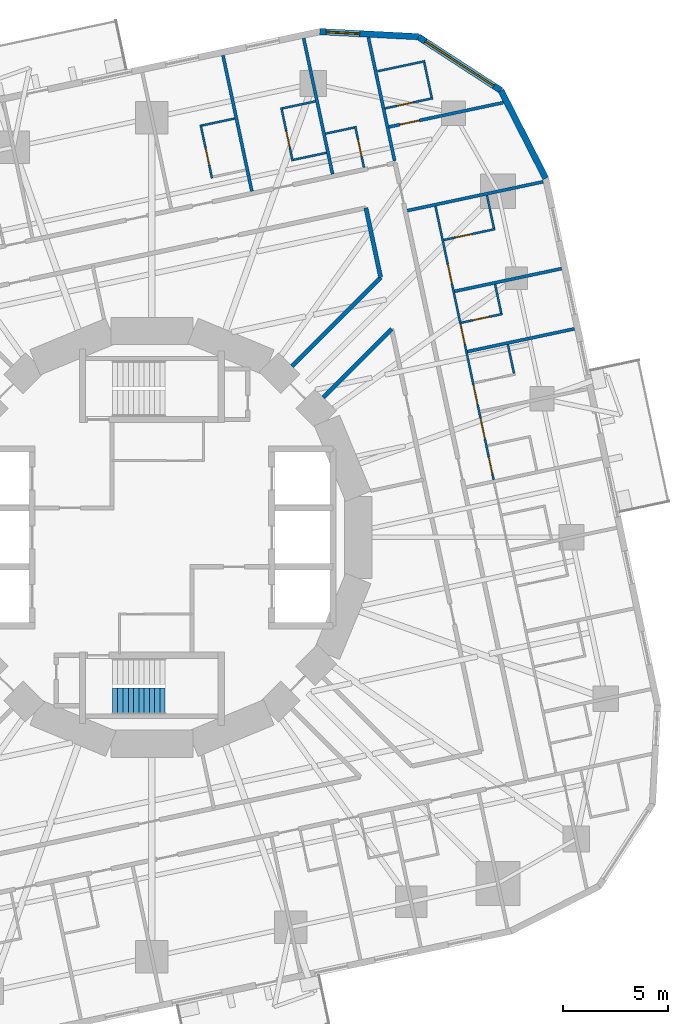
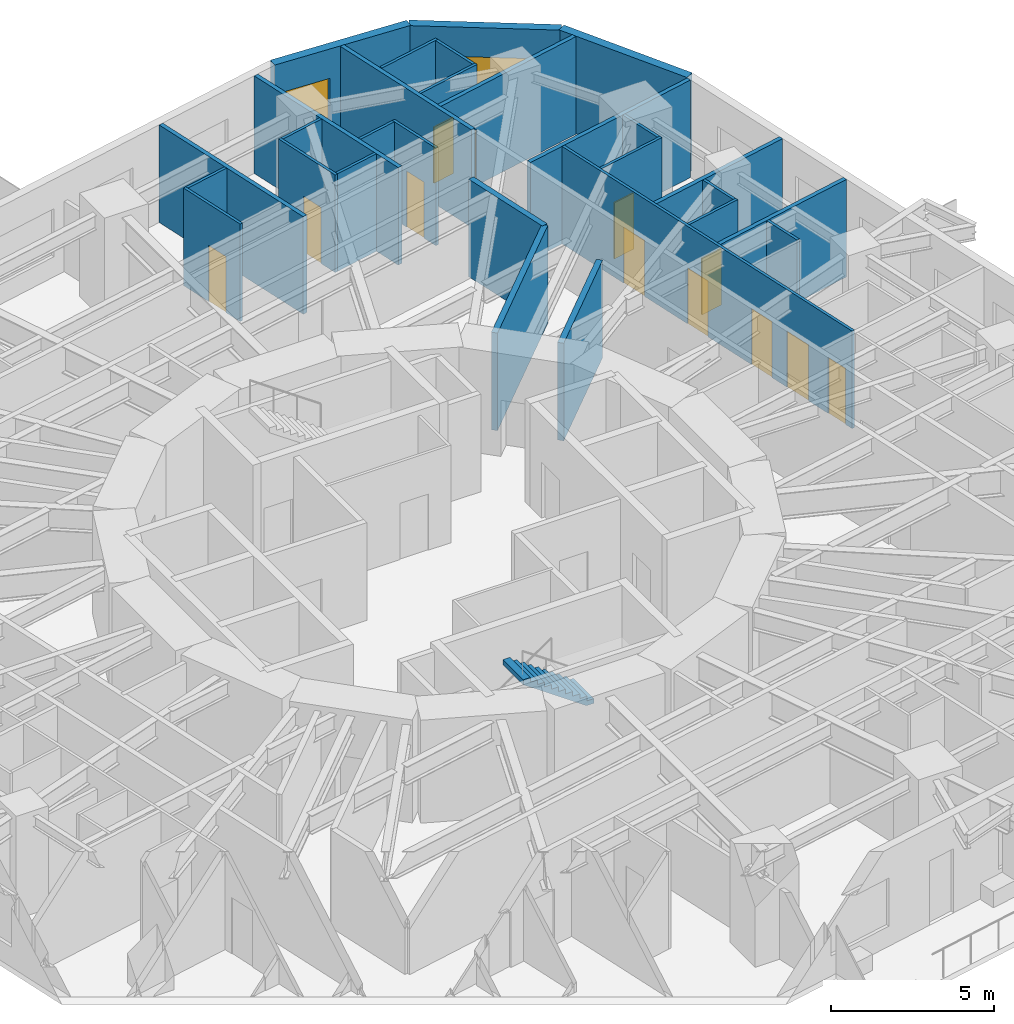
# One storey, part 11 of 14: 29 walls, 12 doors, 2 windows, 1 stair flight, 14 openings, 1 element without a shape of its own.
"""IFC4 building model written with IfcOpenShell, lengths in metres."""

from ifc_helpers import new_model, si_unit, direction, frame, frame_2d, origin, place, context, subcontext, project, spatial, polyline, rectangle, outline, extrude, material, layer, layer_set, type_object, element, fill, aggregate, save


model = new_model("IFC4")

# Units and contexts
model_context = context("Model", 3, precision=1e-05, world=origin(), true_north=direction((0.0, 1.0)))
body_context = subcontext(model_context, "Body", "Model", "MODEL_VIEW")
ifc_project = project(units=[si_unit("LENGTHUNIT", "METRE"), si_unit("AREAUNIT", "SQUARE_METRE"), si_unit("VOLUMEUNIT", "CUBIC_METRE"), si_unit("PLANEANGLEUNIT", "RADIAN"), si_unit("MASSUNIT", "GRAM", prefix="KILO")], contexts=[model_context])

# Site, building, storey
site_placement = place(None, origin())
site = spatial("IfcSite", under=ifc_project, at=site_placement, CompositionType="ELEMENT")
building_placement = place(site_placement, origin())
building = spatial("IfcBuilding", under=site, at=building_placement, Name="Nakasero Lantern House", CompositionType="ELEMENT")
storey_placement = place(building_placement, frame((0.0, 0.0, 128.10009765625)))
storey = spatial("IfcBuildingStorey", under=building, at=storey_placement, Name="L31", CompositionType="ELEMENT", Elevation=128.10009765625)

# Wall, openings, doors
ifc_material_1 = material(Name="Blockwork", Category="masonry")
ifc_layer_1 = layer(ifc_material_1, 0.10009765625)
ifc_layer_set_1 = layer_set([ifc_layer_1], Name="Cluster hall wall 100")
wall_type_1 = type_object("IfcWallType", Name="Cluster hall wall 100", PredefinedType="PARTITIONING", material=ifc_layer_set_1)
wall_1_placement = place(storey_placement, frame((16.236328125, 2.734375, 0.0), z_axis=(0.0, 0.0, 1.0), x_axis=(-0.207922912411, 0.978145215443, 0.0)))
wall_1 = element("IfcWall", 1, at=wall_1_placement, inside=storey, type_object=wall_type_1, Name="Cluster hall wall L31 HW0-1", PredefinedType="PARTITIONING", context=body_context, shape_type="SweptSolid", body=[
    extrude(rectangle(XDim=13.28955078125, YDim=0.10009765625, at=frame_2d((6.644775390625, 0.0))), origin(), (0.0, 0.0, 1.0), 3.64990234375),
])
opening_1_placement = place(wall_1_placement, frame((1.99365234375, 0.0, 0.0)))
opening_1 = element("IfcOpeningElement", 2, at=opening_1_placement, cuts=wall_1, Name="Opening D03", PredefinedType="OPENING", context=body_context, shape_type="SweptSolid", body=[
    extrude(rectangle(XDim=1.0, YDim=2.10009765625, at=frame_2d((0.5, 1.050048828125))), frame((0.0, 0.070068359375, 0.0), z_axis=(0.0, -1.0, 0.0), x_axis=(1.0, 0.0, 0.0)), (0.0, 0.0, 1.0), 0.14013671875),
])
opening_2_placement = place(wall_1_placement, frame((0.300048828125, 0.0, 0.0)))
opening_2 = element("IfcOpeningElement", 3, at=opening_2_placement, cuts=wall_1, Name="Opening D02", PredefinedType="OPENING", context=body_context, shape_type="SweptSolid", body=[
    extrude(rectangle(XDim=0.800048828125, YDim=2.10009765625, at=frame_2d((0.39990234375, 1.050048828125))), frame((0.0, 0.070068359375, 0.0), z_axis=(0.0, -1.0, 0.0), x_axis=(1.0, 0.0, 0.0)), (0.0, 0.0, 1.0), 0.14013671875),
])
opening_3_placement = place(wall_1_placement, frame((3.668701171875, 0.0, 0.0)))
opening_3 = element("IfcOpeningElement", 4, at=opening_3_placement, cuts=wall_1, Name="Opening D01", PredefinedType="OPENING", context=body_context, shape_type="SweptSolid", body=[
    extrude(rectangle(XDim=0.949951171875, YDim=2.10009765625, at=frame_2d((0.47509765625, 1.050048828125))), frame((0.0, 0.070068359375, 0.0), z_axis=(0.0, -1.0, 0.0), x_axis=(1.0, 0.0, 0.0)), (0.0, 0.0, 1.0), 0.14013671875),
])
opening_4_placement = place(wall_1_placement, frame((6.594970703125, 0.0, 0.0)))
opening_4 = element("IfcOpeningElement", 5, at=opening_4_placement, cuts=wall_1, Name="Opening D01", PredefinedType="OPENING", context=body_context, shape_type="SweptSolid", body=[
    extrude(rectangle(XDim=0.949951171875, YDim=2.10009765625, at=frame_2d((0.47509765625, 1.050048828125))), frame((0.0, 0.070068359375, 0.0), z_axis=(0.0, -1.0, 0.0), x_axis=(1.0, 0.0, 0.0)), (0.0, 0.0, 1.0), 0.14013671875),
])
opening_5_placement = place(wall_1_placement, frame((9.521484375, 0.0, 0.0)))
opening_5 = element("IfcOpeningElement", 6, at=opening_5_placement, cuts=wall_1, Name="Opening D01", PredefinedType="OPENING", context=body_context, shape_type="SweptSolid", body=[
    extrude(rectangle(XDim=0.949951171875, YDim=2.10009765625, at=frame_2d((0.47509765625, 1.050048828125))), frame((0.0, 0.070068359375, 0.0), z_axis=(0.0, -1.0, 0.0), x_axis=(1.0, 0.0, 0.0)), (0.0, 0.0, 1.0), 0.14013671875),
])
ifc_material_2 = material(Name="Timber C24", Category="wood")
door_type_1 = type_object("IfcDoorType", Name="Bedroom door FD30S 950", OperationType="SINGLE_SWING_LEFT", PredefinedType="DOOR", material=ifc_material_2)
door_1_placement = place(opening_3_placement, origin())
door_1 = element("IfcDoor", 7, at=door_1_placement, inside=storey, type_object=door_type_1, Name="Door L31 D0-05", OperationType="SINGLE_SWING_LEFT", OverallHeight=2.10009765625, OverallWidth=0.949951171875, PredefinedType="DOOR", context=body_context, shape_type="SweptSolid", body=[
    extrude(rectangle(XDim=0.949951171875, YDim=2.10009765625, at=frame_2d((0.47509765625, 1.050048828125))), frame((0.0, 0.02490234375, 0.0), z_axis=(0.0, -1.0, 0.0), x_axis=(1.0, 0.0, 0.0)), (0.0, 0.0, 1.0), 0.050048828125),
])
fill(opening_3, door_1)
door_2_placement = place(opening_4_placement, origin())
door_2 = element("IfcDoor", 8, at=door_2_placement, inside=storey, type_object=door_type_1, Name="Door L31 D0-06", OperationType="SINGLE_SWING_RIGHT", OverallHeight=2.10009765625, OverallWidth=0.949951171875, PredefinedType="DOOR", context=body_context, shape_type="SweptSolid", body=[
    extrude(rectangle(XDim=0.949951171875, YDim=2.10009765625, at=frame_2d((0.47509765625, 1.050048828125))), frame((0.0, 0.02490234375, 0.0), z_axis=(0.0, -1.0, 0.0), x_axis=(1.0, 0.0, 0.0)), (0.0, 0.0, 1.0), 0.050048828125),
])
fill(opening_4, door_2)
door_3_placement = place(opening_5_placement, origin())
door_3 = element("IfcDoor", 9, at=door_3_placement, inside=storey, type_object=door_type_1, Name="Door L31 D0-07", OperationType="SINGLE_SWING_RIGHT", OverallHeight=2.10009765625, OverallWidth=0.949951171875, PredefinedType="DOOR", context=body_context, shape_type="SweptSolid", body=[
    extrude(rectangle(XDim=0.949951171875, YDim=2.10009765625, at=frame_2d((0.47509765625, 1.050048828125))), frame((0.0, 0.02490234375, 0.0), z_axis=(0.0, -1.0, 0.0), x_axis=(1.0, 0.0, 0.0)), (0.0, 0.0, 1.0), 0.050048828125),
])
fill(opening_5, door_3)
ifc_material_3 = material(Name="Timber C24", Category="wood")
door_type_2 = type_object("IfcDoorType", Name="En-suite door 800", OperationType="SINGLE_SWING_RIGHT", PredefinedType="DOOR", material=ifc_material_3)
door_4_placement = place(opening_2_placement, origin())
door_4 = element("IfcDoor", 10, at=door_4_placement, inside=storey, type_object=door_type_2, Name="Door L31 DSH0-1", OperationType="SINGLE_SWING_LEFT", OverallHeight=2.10009765625, OverallWidth=0.800048828125, PredefinedType="DOOR", context=body_context, shape_type="SweptSolid", body=[
    extrude(rectangle(XDim=0.800048828125, YDim=2.10009765625, at=frame_2d((0.39990234375, 1.050048828125))), frame((0.0, 0.02490234375, 0.0), z_axis=(0.0, -1.0, 0.0), x_axis=(1.0, 0.0, 0.0)), (0.0, 0.0, 1.0), 0.050048828125),
])
fill(opening_2, door_4)
ifc_material_4 = material(Name="Timber C24", Category="wood")
door_type_3 = type_object("IfcDoorType", Name="Lounge door FD30S 1000", OperationType="SINGLE_SWING_LEFT", PredefinedType="DOOR", material=ifc_material_4)
door_5_placement = place(opening_1_placement, origin())
door_5 = element("IfcDoor", 11, at=door_5_placement, inside=storey, type_object=door_type_3, Name="Door L31 DH0-1", OperationType="SINGLE_SWING_LEFT", OverallHeight=2.10009765625, OverallWidth=1.0, PredefinedType="DOOR", context=body_context, shape_type="SweptSolid", body=[
    extrude(rectangle(XDim=1.0, YDim=2.10009765625, at=frame_2d((0.5, 1.050048828125))), frame((0.0, 0.02490234375, 0.0), z_axis=(0.0, -1.0, 0.0), x_axis=(1.0, 0.0, 0.0)), (0.0, 0.0, 1.0), 0.050048828125),
])
fill(opening_1, door_5)

# Walls
ifc_material_5 = material(Name="Blockwork", Category="masonry")
ifc_layer_2 = layer(ifc_material_5, 0.199951171875)
ifc_layer_set_2 = layer_set([ifc_layer_2], Name="Corridor wall 200")
wall_type_2 = type_object("IfcWallType", Name="Corridor wall 200", PredefinedType="PARTITIONING", material=ifc_layer_set_2)
wall_2_placement = place(storey_placement, frame((10.868896484375, 12.35400390625, 0.0), z_axis=(0.0, 0.0, 1.0), x_axis=(-0.207923627178, 0.978145063506, 0.0)))
element("IfcWall", 12, at=wall_2_placement, inside=storey, type_object=wall_type_2, Name="Corridor wall L31 IW0-1", PredefinedType="PARTITIONING", context=body_context, shape_type="SweptSolid", body=[
    extrude(rectangle(XDim=3.375732421875, YDim=0.199951171875, at=frame_2d((1.68798828125, 0.0))), origin(), (0.0, 0.0, 1.0), 3.64990234375),
])
wall_3_placement = place(storey_placement, frame((6.65234375, 8.13720703125, 0.0), z_axis=(0.0, 0.0, 1.0), x_axis=(0.707086310555, 0.707127251225, 0.0)))
element("IfcWall", 13, at=wall_3_placement, inside=storey, type_object=wall_type_2, Name="Corridor wall L31 PS02a", PredefinedType="PARTITIONING", context=body_context, shape_type="SweptSolid", body=[
    extrude(rectangle(XDim=5.96337890625, YDim=0.199951171875, at=frame_2d((2.981689453125, 0.0))), origin(), (0.0, 0.0, 1.0), 3.64990234375),
])
wall_4_placement = place(storey_placement, frame((8.13720703125, 6.65234375, 0.0), z_axis=(0.0, 0.0, 1.0), x_axis=(0.707106781187, 0.707106781187, 0.0)))
element("IfcWall", 14, at=wall_4_placement, inside=storey, type_object=wall_type_2, Name="Corridor wall L31 PS02b", PredefinedType="PARTITIONING", context=body_context, shape_type="SweptSolid", body=[
    extrude(rectangle(XDim=4.599609375, YDim=0.199951171875, at=frame_2d((2.2998046875, 0.0))), origin(), (0.0, 0.0, 1.0), 3.64990234375),
])
ifc_material_6 = material(Name="Blockwork", Category="masonry")
ifc_layer_3 = layer(ifc_material_6, 0.10009765625)
ifc_layer_set_3 = layer_set([ifc_layer_3], Name="En-suite wall 100")
wall_type_3 = type_object("IfcWallType", Name="En-suite wall 100", PredefinedType="PARTITIONING", material=ifc_layer_set_3)
wall_5_placement = place(storey_placement, frame((17.2060546875, 7.79150390625, 0.0), z_axis=(0.0, 0.0, 1.0), x_axis=(-0.207873355681, 0.978155748334, 0.0)))
element("IfcWall", 15, at=wall_5_placement, inside=storey, type_object=wall_type_3, Name="En-suite wall L31 EE0-05", PredefinedType="PARTITIONING", context=body_context, shape_type="SweptSolid", body=[
    extrude(rectangle(XDim=1.39990234375, YDim=0.10009765625, at=frame_2d((0.699951171875, 0.0))), origin(), (0.0, 0.0, 1.0), 3.64990234375),
])

# Wall, opening, door
wall_6_placement = place(storey_placement, frame((14.70068359375, 10.19970703125, 0.0), z_axis=(0.0, 0.0, 1.0), x_axis=(0.978152955943, 0.207886494942, 0.0)))
wall_6 = element("IfcWall", 16, at=wall_6_placement, inside=storey, type_object=wall_type_3, Name="En-suite wall L31 ES0-06", PredefinedType="PARTITIONING", context=body_context, shape_type="SweptSolid", body=[
    extrude(rectangle(XDim=2.0, YDim=0.10009765625, at=frame_2d((1.0, 0.0))), origin(), (0.0, 0.0, 1.0), 3.64990234375),
])
opening_6_placement = place(wall_6_placement, frame((0.550048828125, 0.0, 0.0)))
opening_6 = element("IfcOpeningElement", 17, at=opening_6_placement, cuts=wall_6, Name="Opening D02", PredefinedType="OPENING", context=body_context, shape_type="SweptSolid", body=[
    extrude(rectangle(XDim=0.800048828125, YDim=2.10009765625, at=frame_2d((0.39990234375, 1.050048828125))), frame((0.0, 0.070068359375, 0.0), z_axis=(0.0, -1.0, 0.0), x_axis=(1.0, 0.0, 0.0)), (0.0, 0.0, 1.0), 0.14013671875),
])
door_6_placement = place(opening_6_placement, origin())
door_6 = element("IfcDoor", 18, at=door_6_placement, inside=storey, type_object=door_type_2, Name="Door L31 DE0-06", OperationType="SINGLE_SWING_LEFT", OverallHeight=2.10009765625, OverallWidth=0.800048828125, PredefinedType="DOOR", context=body_context, shape_type="SweptSolid", body=[
    extrude(rectangle(XDim=0.800048828125, YDim=2.10009765625, at=frame_2d((0.39990234375, 1.050048828125))), frame((0.0, 0.02490234375, 0.0), z_axis=(0.0, -1.0, 0.0), x_axis=(1.0, 0.0, 0.0)), (0.0, 0.0, 1.0), 0.050048828125),
])
fill(opening_6, door_6)

# Wall
wall_7_placement = place(storey_placement, frame((16.59765625, 10.654052734375, 0.0), z_axis=(0.0, 0.0, 1.0), x_axis=(-0.207873355681, 0.978155748334, 0.0)))
element("IfcWall", 19, at=wall_7_placement, inside=storey, type_object=wall_type_3, Name="En-suite wall L31 EE0-06", PredefinedType="PARTITIONING", context=body_context, shape_type="SweptSolid", body=[
    extrude(rectangle(XDim=1.39990234375, YDim=0.10009765625, at=frame_2d((0.699951171875, 0.0))), origin(), (0.0, 0.0, 1.0), 3.64990234375),
])

# Wall, opening, door
wall_8_placement = place(storey_placement, frame((13.865234375, 14.1298828125, 0.0), z_axis=(0.0, 0.0, 1.0), x_axis=(0.978146935828, 0.207914818928, 0.0)))
wall_8 = element("IfcWall", 20, at=wall_8_placement, inside=storey, type_object=wall_type_3, Name="En-suite wall L31 ES0-07", PredefinedType="PARTITIONING", context=body_context, shape_type="SweptSolid", body=[
    extrude(rectangle(XDim=2.5, YDim=0.10009765625, at=frame_2d((1.25, 0.0))), origin(), (0.0, 0.0, 1.0), 3.64990234375),
])
opening_7_placement = place(wall_8_placement, frame((0.550048828125, 0.0, 0.0)))
opening_7 = element("IfcOpeningElement", 21, at=opening_7_placement, cuts=wall_8, Name="Opening D02", PredefinedType="OPENING", context=body_context, shape_type="SweptSolid", body=[
    extrude(rectangle(XDim=0.800048828125, YDim=2.10009765625, at=frame_2d((0.39990234375, 1.050048828125))), frame((0.0, 0.070068359375, 0.0), z_axis=(0.0, -1.0, 0.0), x_axis=(1.0, 0.0, 0.0)), (0.0, 0.0, 1.0), 0.14013671875),
])
door_7_placement = place(opening_7_placement, origin())
door_7 = element("IfcDoor", 22, at=door_7_placement, inside=storey, type_object=door_type_2, Name="Door L31 DE0-07", OperationType="SINGLE_SWING_LEFT", OverallHeight=2.10009765625, OverallWidth=0.800048828125, PredefinedType="DOOR", context=body_context, shape_type="SweptSolid", body=[
    extrude(rectangle(XDim=0.800048828125, YDim=2.10009765625, at=frame_2d((0.39990234375, 1.050048828125))), frame((0.0, 0.02490234375, 0.0), z_axis=(0.0, -1.0, 0.0), x_axis=(1.0, 0.0, 0.0)), (0.0, 0.0, 1.0), 0.050048828125),
])
fill(opening_7, door_7)

# Wall
wall_9_placement = place(storey_placement, frame((16.251220703125, 14.688232421875, 0.0), z_axis=(0.0, 0.0, 1.0), x_axis=(-0.207840504985, 0.978162729042, 0.0)))
element("IfcWall", 23, at=wall_9_placement, inside=storey, type_object=wall_type_3, Name="En-suite wall L31 EE0-07", PredefinedType="PARTITIONING", context=body_context, shape_type="SweptSolid", body=[
    extrude(rectangle(XDim=1.599853515625, YDim=0.10009765625, at=frame_2d((0.7998046875, 0.0))), origin(), (0.0, 0.0, 1.0), 3.64990234375),
])

# Wall, opening, door
wall_10_placement = place(storey_placement, frame((11.069091796875, 20.382568359375, 0.0), z_axis=(0.0, 0.0, 1.0), x_axis=(0.978136257952, 0.207965047255, 0.0)))
wall_10 = element("IfcWall", 24, at=wall_10_placement, inside=storey, type_object=wall_type_3, Name="En-suite wall L31 ES0-08", PredefinedType="PARTITIONING", context=body_context, shape_type="SweptSolid", body=[
    extrude(rectangle(XDim=2.3349609375, YDim=0.10009765625, at=frame_2d((1.16748046875, 0.0))), origin(), (0.0, 0.0, 1.0), 3.64990234375),
])
opening_8_placement = place(wall_10_placement, frame((0.5849609375, 0.0, 0.0)))
opening_8 = element("IfcOpeningElement", 25, at=opening_8_placement, cuts=wall_10, Name="Opening D02", PredefinedType="OPENING", context=body_context, shape_type="SweptSolid", body=[
    extrude(rectangle(XDim=0.800048828125, YDim=2.10009765625, at=frame_2d((0.39990234375, 1.050048828125))), frame((0.0, 0.070068359375, 0.0), z_axis=(0.0, -1.0, 0.0), x_axis=(1.0, 0.0, 0.0)), (0.0, 0.0, 1.0), 0.14013671875),
])
door_8_placement = place(opening_8_placement, origin())
door_8 = element("IfcDoor", 26, at=door_8_placement, inside=storey, type_object=door_type_2, Name="Door L31 DE0-08", OperationType="SINGLE_SWING_LEFT", OverallHeight=2.10009765625, OverallWidth=0.800048828125, PredefinedType="DOOR", context=body_context, shape_type="SweptSolid", body=[
    extrude(rectangle(XDim=0.800048828125, YDim=2.10009765625, at=frame_2d((0.39990234375, 1.050048828125))), frame((0.0, 0.02490234375, 0.0), z_axis=(0.0, -1.0, 0.0), x_axis=(1.0, 0.0, 0.0)), (0.0, 0.0, 1.0), 0.050048828125),
])
fill(opening_8, door_8)

# Walls
wall_11_placement = place(storey_placement, frame((13.293701171875, 20.906494140625, 0.0), z_axis=(0.0, 0.0, 1.0), x_axis=(-0.207812379357, 0.978168704767, 0.0)))
element("IfcWall", 27, at=wall_11_placement, inside=storey, type_object=wall_type_3, Name="En-suite wall L31 EE0-08", PredefinedType="PARTITIONING", context=body_context, shape_type="SweptSolid", body=[
    extrude(rectangle(XDim=1.699951171875, YDim=0.10009765625, at=frame_2d((0.85009765625, 0.0))), origin(), (0.0, 0.0, 1.0), 3.64990234375),
])
wall_12_placement = place(storey_placement, frame((10.72900390625, 22.150634765625, 0.0), z_axis=(0.0, 0.0, 1.0), x_axis=(0.978162897375, 0.207839712757, 0.0)))
element("IfcWall", 28, at=wall_12_placement, inside=storey, type_object=wall_type_3, Name="En-suite wall L31 EV0-08", PredefinedType="PARTITIONING", context=body_context, shape_type="SweptSolid", body=[
    extrude(rectangle(XDim=2.300048828125, YDim=0.10009765625, at=frame_2d((1.14990234375, 0.0))), origin(), (0.0, 0.0, 1.0), 3.64990234375),
])

# Wall, opening, door
wall_13_placement = place(storey_placement, frame((10.07421875, 17.57861328125, 0.0), z_axis=(0.0, 0.0, 1.0), x_axis=(-0.207886494942, 0.978152955943, 0.0)))
wall_13 = element("IfcWall", 29, at=wall_13_placement, inside=storey, type_object=wall_type_3, Name="En-suite wall L31 ES1-00", PredefinedType="PARTITIONING", context=body_context, shape_type="SweptSolid", body=[
    extrude(rectangle(XDim=2.0, YDim=0.10009765625, at=frame_2d((1.0, 0.0))), origin(), (0.0, 0.0, 1.0), 3.64990234375),
])
opening_9_placement = place(wall_13_placement, frame((0.550048828125, 0.0, 0.0)))
opening_9 = element("IfcOpeningElement", 30, at=opening_9_placement, cuts=wall_13, Name="Opening D02", PredefinedType="OPENING", context=body_context, shape_type="SweptSolid", body=[
    extrude(rectangle(XDim=0.800048828125, YDim=2.10009765625, at=frame_2d((0.39990234375, 1.050048828125))), frame((0.0, 0.070068359375, 0.0), z_axis=(0.0, -1.0, 0.0), x_axis=(1.0, 0.0, 0.0)), (0.0, 0.0, 1.0), 0.14013671875),
])
door_9_placement = place(opening_9_placement, origin())
door_9 = element("IfcDoor", 31, at=door_9_placement, inside=storey, type_object=door_type_2, Name="Door L31 DE1-00", OperationType="SINGLE_SWING_LEFT", OverallHeight=2.10009765625, OverallWidth=0.800048828125, PredefinedType="DOOR", context=body_context, shape_type="SweptSolid", body=[
    extrude(rectangle(XDim=0.800048828125, YDim=2.10009765625, at=frame_2d((0.39990234375, 1.050048828125))), frame((0.0, 0.02490234375, 0.0), z_axis=(0.0, -1.0, 0.0), x_axis=(1.0, 0.0, 0.0)), (0.0, 0.0, 1.0), 0.050048828125),
])
fill(opening_9, door_9)

# Wall
wall_14_placement = place(storey_placement, frame((9.619873046875, 19.4755859375, 0.0), z_axis=(0.0, 0.0, 1.0), x_axis=(-0.978155748334, -0.207873355681, 0.0)))
element("IfcWall", 32, at=wall_14_placement, inside=storey, type_object=wall_type_3, Name="En-suite wall L31 EE1-00", PredefinedType="PARTITIONING", context=body_context, shape_type="SweptSolid", body=[
    extrude(rectangle(XDim=1.39990234375, YDim=0.10009765625, at=frame_2d((0.699951171875, 0.0))), origin(), (0.0, 0.0, 1.0), 3.64990234375),
])

# Wall, opening, door
wall_15_placement = place(storey_placement, frame((6.687255859375, 17.881103515625, 0.0), z_axis=(0.0, 0.0, 1.0), x_axis=(-0.207893569688, 0.978151452323, 0.0)))
wall_15 = element("IfcWall", 33, at=wall_15_placement, inside=storey, type_object=wall_type_3, Name="En-suite wall L31 ES1-01", PredefinedType="PARTITIONING", context=body_context, shape_type="SweptSolid", body=[
    extrude(rectangle(XDim=2.60009765625, YDim=0.10009765625, at=frame_2d((1.300048828125, 0.0))), origin(), (0.0, 0.0, 1.0), 3.64990234375),
])
opening_10_placement = place(wall_15_placement, frame((0.64990234375, 0.0, 0.0)))
opening_10 = element("IfcOpeningElement", 34, at=opening_10_placement, cuts=wall_15, Name="Opening D02", PredefinedType="OPENING", context=body_context, shape_type="SweptSolid", body=[
    extrude(rectangle(XDim=0.800048828125, YDim=2.10009765625, at=frame_2d((0.39990234375, 1.050048828125))), frame((0.0, 0.070068359375, 0.0), z_axis=(0.0, -1.0, 0.0), x_axis=(1.0, 0.0, 0.0)), (0.0, 0.0, 1.0), 0.14013671875),
])
door_10_placement = place(opening_10_placement, origin())
door_10 = element("IfcDoor", 35, at=door_10_placement, inside=storey, type_object=door_type_2, Name="Door L31 DE1-01", OperationType="SINGLE_SWING_LEFT", OverallHeight=2.10009765625, OverallWidth=0.800048828125, PredefinedType="DOOR", context=body_context, shape_type="SweptSolid", body=[
    extrude(rectangle(XDim=0.800048828125, YDim=2.10009765625, at=frame_2d((0.39990234375, 1.050048828125))), frame((0.0, 0.02490234375, 0.0), z_axis=(0.0, -1.0, 0.0), x_axis=(1.0, 0.0, 0.0)), (0.0, 0.0, 1.0), 0.050048828125),
])
fill(opening_10, door_10)

# Walls
for number, where, z_axis, x_axis, name in (
    (36, (7.77099609375, 20.718505859375, 0.0), (0.0, 0.0, 1.0), (-0.978131695374, -0.207986505584, 0.0), "En-suite wall L31 EE1-01"),
    (37, (8.290771484375, 18.273193359375, 0.0), (0.0, 0.0, 1.0), (-0.978131695374, -0.207986505584, 0.0), "En-suite wall L31 EI1-01"),
):
    element("IfcWall", number, at=place(storey_placement, frame(where, z_axis=z_axis, x_axis=x_axis)), inside=storey, type_object=wall_type_3, Name=name, PredefinedType="PARTITIONING", context=body_context, shape_type="SweptSolid", body=[
        extrude(rectangle(XDim=1.599853515625, YDim=0.10009765625, at=frame_2d((0.7998046875, 0.0))), origin(), (0.0, 0.0, 1.0), 3.64990234375),
    ])

# Wall, opening, door
wall_16_placement = place(storey_placement, frame((2.853515625, 17.066162109375, 0.0), z_axis=(0.0, 0.0, 1.0), x_axis=(-0.207893569688, 0.978151452323, 0.0)))
wall_16 = element("IfcWall", 38, at=wall_16_placement, inside=storey, type_object=wall_type_3, Name="En-suite wall L31 ES1-02", PredefinedType="PARTITIONING", context=body_context, shape_type="SweptSolid", body=[
    extrude(rectangle(XDim=2.60009765625, YDim=0.10009765625, at=frame_2d((1.300048828125, 0.0))), origin(), (0.0, 0.0, 1.0), 3.64990234375),
])
opening_11_placement = place(wall_16_placement, frame((0.64990234375, 0.0, 0.0)))
opening_11 = element("IfcOpeningElement", 39, at=opening_11_placement, cuts=wall_16, Name="Opening D02", PredefinedType="OPENING", context=body_context, shape_type="SweptSolid", body=[
    extrude(rectangle(XDim=0.800048828125, YDim=2.10009765625, at=frame_2d((0.39990234375, 1.050048828125))), frame((0.0, 0.070068359375, 0.0), z_axis=(0.0, -1.0, 0.0), x_axis=(1.0, 0.0, 0.0)), (0.0, 0.0, 1.0), 0.14013671875),
])
door_11_placement = place(opening_11_placement, origin())
door_11 = element("IfcDoor", 40, at=door_11_placement, inside=storey, type_object=door_type_2, Name="Door L31 DE1-02", OperationType="SINGLE_SWING_LEFT", OverallHeight=2.10009765625, OverallWidth=0.800048828125, PredefinedType="DOOR", context=body_context, shape_type="SweptSolid", body=[
    extrude(rectangle(XDim=0.800048828125, YDim=2.10009765625, at=frame_2d((0.39990234375, 1.050048828125))), frame((0.0, 0.02490234375, 0.0), z_axis=(0.0, -1.0, 0.0), x_axis=(1.0, 0.0, 0.0)), (0.0, 0.0, 1.0), 0.050048828125),
])
fill(opening_11, door_11)

# Walls
wall_17_placement = place(storey_placement, frame((3.937255859375, 19.903564453125, 0.0), z_axis=(0.0, 0.0, 1.0), x_axis=(-0.978138294895, -0.207955466533, 0.0)))
element("IfcWall", 41, at=wall_17_placement, inside=storey, type_object=wall_type_3, Name="En-suite wall L31 EE1-02", PredefinedType="PARTITIONING", context=body_context, shape_type="SweptSolid", body=[
    extrude(rectangle(XDim=1.60009765625, YDim=0.10009765625, at=frame_2d((0.800048828125, 0.0))), origin(), (0.0, 0.0, 1.0), 3.64990234375),
])
ifc_material_7 = material(Name="Aluminium rainscreen on blockwork", Category="masonry")
ifc_layer_4 = layer(ifc_material_7, 0.300048828125)
ifc_layer_set_4 = layer_set([ifc_layer_4], Name="Facade wall 300")
wall_type_4 = type_object("IfcWallType", Name="Facade wall 300", PredefinedType="SOLIDWALL", material=ifc_layer_set_4)
wall_18_placement = place(storey_placement, frame((18.711181640625, 17.063232421875, 0.0), z_axis=(0.0, 0.0, 1.0), x_axis=(-0.453975745332, 0.89101404178, 0.0)))
element("IfcWall", 42, at=wall_18_placement, inside=storey, type_object=wall_type_4, Name="Facade wall L31 FW0C1", PredefinedType="SOLIDWALL", context=body_context, shape_type="SweptSolid", body=[
    extrude(rectangle(XDim=4.6845703125, YDim=0.300048828125, at=frame_2d((2.34228515625, 0.0))), origin(), (0.0, 0.0, 1.0), 3.64990234375),
])

# Wall, opening, window
wall_19_placement = place(storey_placement, frame((16.58447265625, 21.2373046875, 0.0), z_axis=(0.0, 0.0, 1.0), x_axis=(-0.838692381994, 0.544605442853, 0.0)))
wall_19 = element("IfcWall", 43, at=wall_19_placement, inside=storey, type_object=wall_type_4, Name="Facade wall L31 FW0C2", PredefinedType="SOLIDWALL", context=body_context, shape_type="SweptSolid", body=[
    extrude(rectangle(XDim=4.6845703125, YDim=0.300048828125, at=frame_2d((2.34228515625, 0.0))), origin(), (0.0, 0.0, 1.0), 3.64990234375),
])
opening_12_placement = place(wall_19_placement, frame((0.39990234375, 0.0, 0.75)))
opening_12 = element("IfcOpeningElement", 44, at=opening_12_placement, cuts=wall_19, Name="Opening W238", PredefinedType="OPENING", context=body_context, shape_type="SweptSolid", body=[
    extrude(rectangle(XDim=3.885009765625, YDim=1.800048828125, at=frame_2d((1.9423828125, 0.89990234375))), frame((0.0, 0.169921875, 0.0), z_axis=(0.0, -1.0, 0.0), x_axis=(1.0, 0.0, 0.0)), (0.0, 0.0, 1.0), 0.340087890625),
])
ifc_material_8 = material(Name="Aluminium 6063-T6 and glass", Category="aluminium")
window_type_1 = type_object("IfcWindowType", Name="Corner window 3885x1800", PartitioningType="SINGLE_PANEL", PredefinedType="WINDOW", material=ifc_material_8)
window_1_placement = place(opening_12_placement, origin())
window_1 = element("IfcWindow", 45, at=window_1_placement, inside=storey, type_object=window_type_1, Name="Window L31 WC0", OverallHeight=1.800048828125, OverallWidth=3.885009765625, PartitioningType="SINGLE_PANEL", PredefinedType="WINDOW", context=body_context, shape_type="SweptSolid", body=[
    extrude(rectangle(XDim=3.885009765625, YDim=1.800048828125, at=frame_2d((1.9423828125, 0.89990234375))), frame((0.0, 0.030029296875, 0.0), z_axis=(0.0, -1.0, 0.0), x_axis=(1.0, 0.0, 0.0)), (0.0, 0.0, 1.0), 0.06005859375),
])
fill(opening_12, window_1)

wall_20_placement = place(storey_placement, frame((12.655517578125, 23.78857421875, 0.0), z_axis=(0.0, 0.0, 1.0), x_axis=(-0.998630039879, 0.052326317, 0.0)))
wall_20 = element("IfcWall", 46, at=wall_20_placement, inside=storey, type_object=wall_type_4, Name="Facade wall L31 FW0C3", PredefinedType="SOLIDWALL", context=body_context, shape_type="SweptSolid", body=[
    extrude(rectangle(XDim=4.684326171875, YDim=0.300048828125, at=frame_2d((2.34228515625, 0.0))), origin(), (0.0, 0.0, 1.0), 3.64990234375),
])
opening_13_placement = place(wall_20_placement, frame((2.784912109375, 0.0, 0.75)))
opening_13 = element("IfcOpeningElement", 47, at=opening_13_placement, cuts=wall_20, Name="Opening W01", PredefinedType="OPENING", context=body_context, shape_type="SweptSolid", body=[
    extrude(rectangle(XDim=1.60009765625, YDim=1.800048828125, at=frame_2d((0.800048828125, 0.89990234375))), frame((0.0, 0.169921875, 0.0), z_axis=(0.0, -1.0, 0.0), x_axis=(1.0, 0.0, 0.0)), (0.0, 0.0, 1.0), 0.340087890625),
])
ifc_material_9 = material(Name="Aluminium 6063-T6 and glass", Category="aluminium")
window_type_2 = type_object("IfcWindowType", Name="Bedroom window 1600x1800", PartitioningType="SINGLE_PANEL", PredefinedType="WINDOW", material=ifc_material_9)
window_2_placement = place(opening_13_placement, origin())
window_2 = element("IfcWindow", 48, at=window_2_placement, inside=storey, type_object=window_type_2, Name="Window L31 WN1-00", OverallHeight=1.800048828125, OverallWidth=1.60009765625, PartitioningType="SINGLE_PANEL", PredefinedType="WINDOW", context=body_context, shape_type="SweptSolid", body=[
    extrude(rectangle(XDim=1.60009765625, YDim=1.800048828125, at=frame_2d((0.800048828125, 0.89990234375))), frame((0.0, 0.030029296875, 0.0), z_axis=(0.0, -1.0, 0.0), x_axis=(1.0, 0.0, 0.0)), (0.0, 0.0, 1.0), 0.06005859375),
])
fill(opening_13, window_2)

# Walls
ifc_material_10 = material(Name="Blockwork", Category="masonry")
ifc_layer_5 = layer(ifc_material_10, 0.14990234375)
ifc_layer_set_5 = layer_set([ifc_layer_5], Name="Party wall 150")
wall_type_5 = type_object("IfcWallType", Name="Party wall 150", PredefinedType="PARTITIONING", material=ifc_layer_set_5)
for number, where, z_axis, x_axis, name in (
    (49, (14.991943359375, 8.828857421875, 0.0), (0.0, 0.0, 1.0), (0.978151452323, 0.207893569688, 0.0), "Party wall L31 PW0-06"),
    (50, (14.383544921875, 11.69140625, 0.0), (0.0, 0.0, 1.0), (0.978151452323, 0.207893569688, 0.0), "Party wall L31 PW0-07"),
):
    element("IfcWall", number, at=place(storey_placement, frame(where, z_axis=z_axis, x_axis=x_axis)), inside=storey, type_object=wall_type_5, Name=name, PredefinedType="PARTITIONING", context=body_context, shape_type="SweptSolid", body=[
        extrude(rectangle(XDim=5.199951171875, YDim=0.14990234375, at=frame_2d((2.60009765625, 0.0))), origin(), (0.0, 0.0, 1.0), 3.64990234375),
    ])
wall_21_placement = place(storey_placement, frame((12.13720703125, 15.526123046875, 0.0), z_axis=(0.0, 0.0, 1.0), x_axis=(0.978144841009, 0.207924673876, 0.0)))
element("IfcWall", 51, at=wall_21_placement, inside=storey, type_object=wall_type_5, Name="Party wall L31 PW0-08", PredefinedType="PARTITIONING", context=body_context, shape_type="SweptSolid", body=[
    extrude(rectangle(XDim=6.60009765625, YDim=0.14990234375, at=frame_2d((3.300048828125, 0.0))), origin(), (0.0, 0.0, 1.0), 3.64990234375),
])

# Wall, opening, door
wall_22_placement = place(storey_placement, frame((11.256103515625, 19.502197265625, 0.0), z_axis=(0.0, 0.0, 1.0), x_axis=(0.978142361087, 0.207936339891, 0.0)))
wall_22 = element("IfcWall", 52, at=wall_22_placement, inside=storey, type_object=wall_type_5, Name="Party wall L31 PC0", PredefinedType="PARTITIONING", context=body_context, shape_type="SweptSolid", body=[
    extrude(rectangle(XDim=5.570068359375, YDim=0.14990234375, at=frame_2d((2.78515625, 0.0))), origin(), (0.0, 0.0, 1.0), 3.64990234375),
])
opening_14_placement = place(wall_22_placement, frame((0.534912109375, 0.0, 0.0)))
opening_14 = element("IfcOpeningElement", 53, at=opening_14_placement, cuts=wall_22, Name="Opening D01", PredefinedType="OPENING", context=body_context, shape_type="SweptSolid", body=[
    extrude(rectangle(XDim=0.949951171875, YDim=2.10009765625, at=frame_2d((0.47509765625, 1.050048828125))), frame((0.0, 0.094970703125, 0.0), z_axis=(0.0, -1.0, 0.0), x_axis=(1.0, 0.0, 0.0)), (0.0, 0.0, 1.0), 0.18994140625),
])
door_12_placement = place(opening_14_placement, origin())
door_12 = element("IfcDoor", 54, at=door_12_placement, inside=storey, type_object=door_type_1, Name="Door L31 DC0", OperationType="SINGLE_SWING_LEFT", OverallHeight=2.10009765625, OverallWidth=0.949951171875, PredefinedType="DOOR", context=body_context, shape_type="SweptSolid", body=[
    extrude(rectangle(XDim=0.949951171875, YDim=2.10009765625, at=frame_2d((0.47509765625, 1.050048828125))), frame((0.0, 0.02490234375, 0.0), z_axis=(0.0, -1.0, 0.0), x_axis=(1.0, 0.0, 0.0)), (0.0, 0.0, 1.0), 0.050048828125),
])
fill(opening_14, door_12)

# Walls
wall_23_placement = place(storey_placement, frame((11.53271484375, 17.888671875, 0.0), z_axis=(0.0, 0.0, 1.0), x_axis=(-0.207886494942, 0.978152955943, 0.0)))
element("IfcWall", 55, at=wall_23_placement, inside=storey, type_object=wall_type_5, Name="Party wall L31 PW1-00", PredefinedType="PARTITIONING", context=body_context, shape_type="SweptSolid", body=[
    extrude(rectangle(XDim=6.0, YDim=0.14990234375, at=frame_2d((3.0, 0.0))), origin(), (0.0, 0.0, 1.0), 3.64990234375),
])
wall_24_placement = place(storey_placement, frame((8.58251953125, 17.26171875, 0.0), z_axis=(0.0, 0.0, 1.0), x_axis=(-0.207932197326, 0.978143241716, 0.0)))
element("IfcWall", 56, at=wall_24_placement, inside=storey, type_object=wall_type_5, Name="Party wall L31 PW1-01", PredefinedType="PARTITIONING", context=body_context, shape_type="SweptSolid", body=[
    extrude(rectangle(XDim=6.599853515625, YDim=0.14990234375, at=frame_2d((3.2998046875, 0.0))), origin(), (0.0, 0.0, 1.0), 3.64990234375),
])
wall_25_placement = place(storey_placement, frame((4.748779296875, 16.44677734375, 0.0), z_axis=(0.0, 0.0, 1.0), x_axis=(-0.207924673876, 0.978144841009, 0.0)))
element("IfcWall", 57, at=wall_25_placement, inside=storey, type_object=wall_type_5, Name="Party wall L31 PW1-02", PredefinedType="PARTITIONING", context=body_context, shape_type="SweptSolid", body=[
    extrude(rectangle(XDim=6.60009765625, YDim=0.14990234375, at=frame_2d((3.300048828125, 0.0))), origin(), (0.0, 0.0, 1.0), 3.64990234375),
])

# Stair, stair flight
ifc_material_11 = material(Name="Concrete C40/50", Category="concrete")
stair_type = type_object("IfcStairType", Name="Escape stair ST2 22 risers", PredefinedType="HALF_TURN_STAIR", material=ifc_material_11)
stair_placement = place(storey_placement, origin())
stair = element("IfcStair", 58, at=stair_placement, inside=storey, type_object=stair_type, Name="Escape stair ST2 L31", PredefinedType="HALF_TURN_STAIR")
ifc_material_12 = material(Name="Concrete C40/50", Category="concrete")
stair_flight_type = type_object("IfcStairFlightType", Name="Escape stair flight", PredefinedType="STRAIGHT", material=ifc_material_12)
stair_flight_placement = place(storey_placement, frame((0.625, -7.77490234375, 1.9248046875), z_axis=(0.0, 0.0, 1.0), x_axis=(-1.0, 0.0, 0.0)))
stair_flight = element("IfcStairFlight", 59, at=stair_flight_placement, type_object=stair_flight_type, Name="ST2 flight 2", NumberOfRisers=11, NumberOfTreads=10, PredefinedType="STRAIGHT", RiserHeight=0.175, TreadLength=0.25, context=body_context, shape_type="SweptSolid", body=[
    extrude(outline(polyline([(0.0, 0.0), (0.0, 0.175048828125), (0.25, 0.175048828125), (0.25, 0.35009765625), (0.5, 0.35009765625), (0.5, 0.52490234375), (0.75, 0.52490234375), (0.75, 0.699951171875), (1.0, 0.699951171875), (1.0, 0.875), (1.25, 0.875), (1.25, 1.050048828125), (1.5, 1.050048828125), (1.5, 1.22509765625), (1.75, 1.22509765625), (1.75, 1.39990234375), (2.0, 1.39990234375), (2.0, 1.574951171875), (2.25, 1.574951171875), (2.25, 1.75), (2.5, 1.75), (2.5, 1.925048828125), (2.5, 1.567138671875), (0.261474609375, 0.0), (0.0, 0.0)])), frame((0.0, 0.625, 0.0), z_axis=(0.0, -1.0, 0.0), x_axis=(1.0, 0.0, 0.0)), (0.0, 0.0, 1.0), 1.25),
])
aggregate(stair, [stair_flight])

save(model, "model.ifc")
